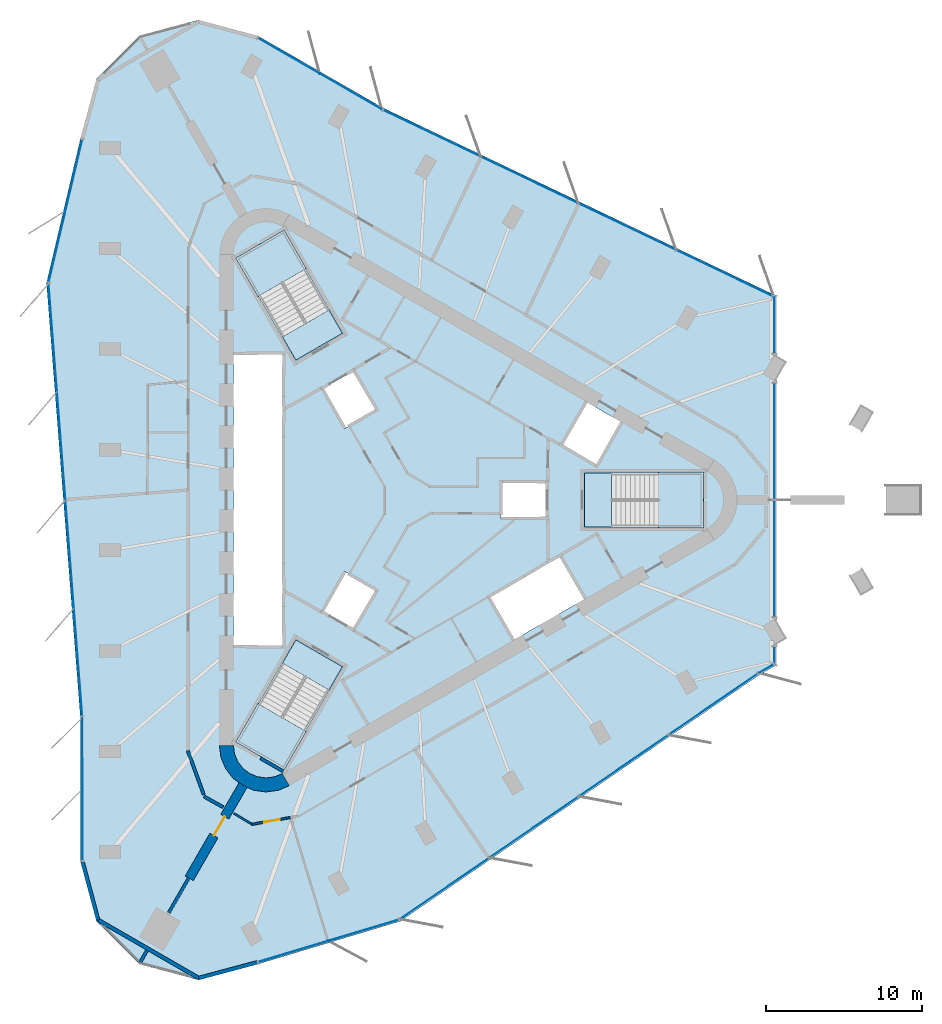
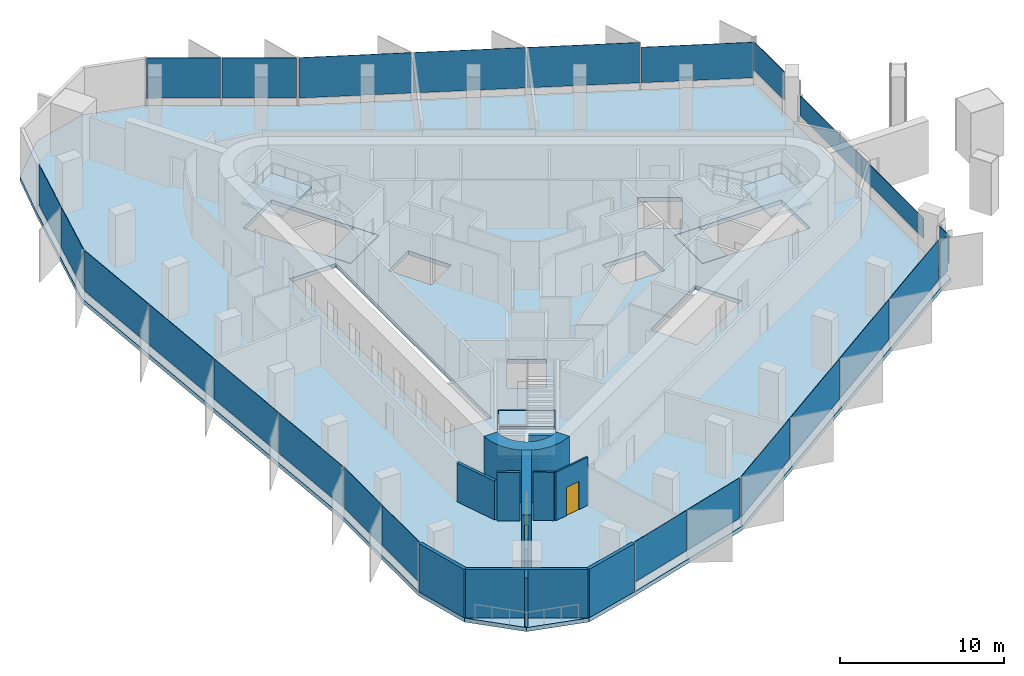
# One storey, part 6 of 12: 25 plates, 12 walls, 7 slabs, 2 doors, 2 openings, 14 elements without a shape of their own.
"""IFC4 building model written with IfcOpenShell, lengths in metres."""

import ifcopenshell
import ifcopenshell.guid

model = None  # the IFC model being written
_history = None  # IfcOwnerHistory: only IFC2X3 demands one
_inside = {}  # id of a spatial element -> (the spatial element, [elements in it])
_under = {}  # id of a project, library or spatial element -> (it, [spatial elements below it])
_declared = {}  # id of a project -> (the project, [libraries it declares])
_typed = {}  # id of a type object -> (the type object, [elements of that type])
_made_of = {}  # id of a material, layer set ... -> (it, [elements and type objects made of it])


def new_model(schema):
    """Start an empty IFC model of exactly this schema.

    Asked for "IFC4X3", IfcOpenShell would pick the latest addendum, in which some entities
    have other attributes; the version numbers below select the first issue.
    IFC2X3 requires an IfcOwnerHistory on every rooted entity: one is made here for all.
    """
    global model, _history
    if schema == "IFC4X3":
        model = ifcopenshell.file(schema_version=(4, 3, 0, 0))
    else:
        model = ifcopenshell.file(schema=schema)
    _inside.clear()
    _under.clear()
    _declared.clear()
    _typed.clear()
    _made_of.clear()
    _history = None
    if model.schema == "IFC2X3":
        org = make("IfcOrganization", Name="unknown")
        user = make(
            "IfcPersonAndOrganization",
            ThePerson=make("IfcPerson", FamilyName="unknown"),
            TheOrganization=org,
        )
        app = make(
            "IfcApplication",
            ApplicationDeveloper=org,
            Version="unknown",
            ApplicationFullName="unknown",
            ApplicationIdentifier="unknown",
        )
        _history = make(
            "IfcOwnerHistory",
            OwningUser=user,
            OwningApplication=app,
            ChangeAction="ADDED",
            CreationDate=0,
        )
    return model


def make(cls, **values):
    """One entity of the class cls with the attributes given. An attribute that is None is left unset."""
    return model.create_entity(
        cls, **{name: value for name, value in values.items() if value is not None}
    )


def rooted(cls, **values):
    """An entity with a GlobalId (a new one), such as an element, a storey or a relation."""
    return make(cls, GlobalId=ifcopenshell.guid.new(), OwnerHistory=_history, **values)


def si_unit(unit_type, name, prefix=None):
    """IfcSIUnit, for example si_unit("LENGTHUNIT", "METRE", prefix="MILLI")."""
    return make("IfcSIUnit", UnitType=unit_type, Prefix=prefix, Name=name)


def assignment(units):
    """IfcUnitAssignment: the units of a project."""
    return None if units is None else make("IfcUnitAssignment", Units=units)


def point(xyz):
    """IfcCartesianPoint."""
    return None if xyz is None else make("IfcCartesianPoint", Coordinates=xyz)


def direction(xyz):
    """IfcDirection."""
    return None if xyz is None else make("IfcDirection", DirectionRatios=xyz)


def frame(location, z_axis=None, x_axis=None):
    """IfcAxis2Placement3D, a coordinate frame: its origin and axes. An axis left out is left unset."""
    return make(
        "IfcAxis2Placement3D",
        Location=point(location),
        Axis=direction(z_axis),
        RefDirection=direction(x_axis),
    )


def frame_2d(location, x_axis=None):
    """IfcAxis2Placement2D, a coordinate frame in the plane: its origin and x axis."""
    return make(
        "IfcAxis2Placement2D", Location=point(location), RefDirection=direction(x_axis)
    )


def origin():
    """The frame at (0, 0, 0) with its axes left unset."""
    return frame((0.0, 0.0, 0.0))


def origin_2d():
    """The frame at (0, 0) in the plane with its x axis left unset."""
    return frame_2d((0.0, 0.0))


def place(relative_to, where):
    """IfcLocalPlacement: puts the frame where relative to a parent placement (None: the world)."""
    return make(
        "IfcLocalPlacement", PlacementRelTo=relative_to, RelativePlacement=where
    )


def context(
    kind, dimensions, precision=None, world=None, true_north=None, identifier=None
):
    """IfcGeometricRepresentationContext, for example the 3D "Model" context."""
    return make(
        "IfcGeometricRepresentationContext",
        ContextIdentifier=identifier,
        ContextType=kind,
        CoordinateSpaceDimension=dimensions,
        Precision=precision,
        WorldCoordinateSystem=world,
        TrueNorth=true_north,
    )


def subcontext(parent, identifier, kind, view, scale=None):
    """IfcGeometricRepresentationSubContext, for example "Body" below "Model"."""
    return make(
        "IfcGeometricRepresentationSubContext",
        ContextIdentifier=identifier,
        ContextType=kind,
        ParentContext=parent,
        TargetScale=scale,
        TargetView=view,
    )


def project(units=None, contexts=None):
    """IfcProject with its units and contexts."""
    return rooted(
        "IfcProject",
        Name="project",
        RepresentationContexts=contexts,
        UnitsInContext=assignment(units),
    )


def spatial(cls, under=None, at=None, **own):
    """A site, building, storey or space (cls), placed at a placement, below another one or the project."""
    s = rooted(cls, ObjectPlacement=at, **own)
    if under is not None:
        _under.setdefault(under.id(), (under, []))[1].append(s)
    return s


def polyline(points):
    """IfcPolyline through the points."""
    return make("IfcPolyline", Points=[point(p) for p in points])


def profile(cls, at=None, kind="AREA", **sizes):
    """A parametric profile (cls). Its sizes go by their IFC names, for example OverallWidth=200.0."""
    return make(cls, ProfileType=kind, Position=at, **sizes)


def rectangle(**sizes):
    """IfcRectangleProfileDef."""
    return profile("IfcRectangleProfileDef", **sizes)


def outline(outer, holes=None, kind="AREA"):
    """IfcArbitraryClosedProfileDef: a profile drawn as a closed curve; with holes, ...WithVoids."""
    if holes is None:
        return make("IfcArbitraryClosedProfileDef", ProfileType=kind, OuterCurve=outer)
    return make(
        "IfcArbitraryProfileDefWithVoids",
        ProfileType=kind,
        OuterCurve=outer,
        InnerCurves=holes,
    )


def extrude(swept, where, along, depth):
    """IfcExtrudedAreaSolid: the profile swept, set in the frame where, extruded along a direction by depth."""
    return make(
        "IfcExtrudedAreaSolid",
        SweptArea=swept,
        Position=where,
        ExtrudedDirection=direction(along),
        Depth=depth,
    )


def shape(context_of_items, identifier, shape_type, items):
    """IfcShapeRepresentation: the items that make up one representation, for example the "Body"."""
    return make(
        "IfcShapeRepresentation",
        ContextOfItems=context_of_items,
        RepresentationIdentifier=identifier,
        RepresentationType=shape_type,
        Items=items,
    )


def material(Name=None, Category=None):
    """IfcMaterial."""
    return make("IfcMaterial", Name=Name, Category=Category)


def layer(
    of_material, thickness, ventilated=None, Name=None, Category=None, Priority=None
):
    """IfcMaterialLayer: one layer of a wall or slab, of a material (None: an air gap)."""
    return make(
        "IfcMaterialLayer",
        Material=of_material,
        LayerThickness=thickness,
        IsVentilated=ventilated,
        Name=Name,
        Category=Category,
        Priority=Priority,
    )


def layer_set(layers, Name=None):
    """IfcMaterialLayerSet."""
    return make("IfcMaterialLayerSet", MaterialLayers=layers, LayerSetName=Name)


def made_of(thing, what):
    """Note that an element or type object is made of a material, layer set ...; save() writes the relation."""
    if what is not None:
        _made_of.setdefault(what.id(), (what, []))[1].append(thing)
    return thing


def type_object(cls, material=None, **own):
    """A type object (cls), such as IfcWallType, which elements share."""
    return made_of(rooted(cls, **own), material)


def element(
    cls,
    number,
    at=None,
    inside=None,
    cuts=None,
    type_object=None,
    material=None,
    context=None,
    identifier="Body",
    shape_type=None,
    held_by="IfcProductDefinitionShape",
    body=None,
    shapes=None,
    **own,
):
    """One element of the class cls, such as IfcWall. Its Tag is "e" and its number.

    at: its placement. inside: the storey or other place that contains it. cuts: it is an
    opening in that element (IfcRelVoidsElement). A single representation is given by context,
    identifier, shape_type and body (its items); several are given by shapes. held_by: the class
    of the entity that holds the representations. save() writes the other relations.
    """
    e = rooted(cls, Tag="e%d" % number, ObjectPlacement=at, **own)
    if body is not None:
        shapes = [shape(context, identifier, shape_type, body)]
    if shapes is not None:
        e.Representation = make(held_by, Representations=shapes)
    if inside is not None:
        _inside.setdefault(inside.id(), (inside, []))[1].append(e)
    if cuts is not None:
        rooted(
            "IfcRelVoidsElement", RelatingBuildingElement=cuts, RelatedOpeningElement=e
        )
    if type_object is not None:
        _typed.setdefault(type_object.id(), (type_object, []))[1].append(e)
    return made_of(e, material)


def fill(opening, filler):
    """IfcRelFillsElement: the door or window that sits in an opening."""
    return rooted(
        "IfcRelFillsElement",
        RelatingOpeningElement=opening,
        RelatedBuildingElement=filler,
    )


def aggregate(whole, parts):
    """IfcRelAggregates: a whole, such as a stair, and the parts it consists of."""
    return rooted("IfcRelAggregates", RelatingObject=whole, RelatedObjects=parts)


def save(model, path):
    """Write the relations noted so far, then the file.

    IfcRelAggregates (storeys below a building ...), IfcRelContainedInSpatialStructure (elements
    in a storey), IfcRelDefinesByType, IfcRelAssociatesMaterial and IfcRelDeclares: one each for
    every whole, place, type object, material and project.
    """
    for whole, parts in _under.values():
        aggregate(whole, parts)
    for where, things in _inside.values():
        rooted(
            "IfcRelContainedInSpatialStructure",
            RelatedElements=things,
            RelatingStructure=where,
        )
    for kind, things in _typed.values():
        rooted("IfcRelDefinesByType", RelatedObjects=things, RelatingType=kind)
    for what, things in _made_of.values():
        rooted("IfcRelAssociatesMaterial", RelatedObjects=things, RelatingMaterial=what)
    for by, libraries in _declared.values():
        rooted("IfcRelDeclares", RelatingContext=by, RelatedDefinitions=libraries)
    model.write(path)


model = new_model("IFC4")

# Units and contexts
model_context = context("Model", 3, precision=1e-05, world=origin(), true_north=direction((0.0, 1.0)))
body_context = subcontext(model_context, "Body", "Model", "MODEL_VIEW")
ifc_project = project(units=[si_unit("LENGTHUNIT", "METRE"), si_unit("AREAUNIT", "SQUARE_METRE"), si_unit("VOLUMEUNIT", "CUBIC_METRE"), si_unit("PLANEANGLEUNIT", "RADIAN"), si_unit("MASSUNIT", "GRAM", prefix="KILO")], contexts=[model_context])

# Site, building, storey
site_placement = place(None, origin())
site = spatial("IfcSite", under=ifc_project, at=site_placement, CompositionType="ELEMENT")
building_placement = place(site_placement, origin())
building = spatial("IfcBuilding", under=site, at=building_placement, Name="Tanit Gate Tower", CompositionType="ELEMENT")
storey_placement = place(building_placement, frame((0.0, 0.0, 372.800048828125)))
storey = spatial("IfcBuildingStorey", under=building, at=storey_placement, Name="L85", CompositionType="ELEMENT", Elevation=372.800048828125)

# Slab
ifc_material_1 = material(Name="Concrete C35/45", Category="concrete")
ifc_layer_1 = layer(ifc_material_1, 0.300048828125)
ifc_layer_set_1 = layer_set([ifc_layer_1], Name="FLOOR SLAB 300 C35/45")
slab_type_1 = type_object("IfcSlabType", Name="FLOOR SLAB 300 C35/45", PredefinedType="FLOOR", material=ifc_layer_set_1)
slab_1_placement = place(storey_placement, frame((0.0, 0.0, -0.300048828125)))
element("IfcSlab", 1, at=slab_1_placement, inside=storey, type_object=slab_type_1, Name="FLOOR SLAB L85", PredefinedType="FLOOR", context=body_context, shape_type="SweptSolid", body=[
    extrude(outline(polyline([(22.59765625, -11.23974609375), (-0.477783203125, -27.072998046875), (-9.62548828125, -29.8291015625), (-13.423583984375, -30.8466796875), (-17.2216796875, -29.8291015625), (-20.002197265625, -27.048583984375), (-21.02001953125, -23.25048828125), (-21.03271484375, -13.9501953125), (-23.207275390625, 13.9501953125), (-21.02001953125, 23.25048828125), (-20.002197265625, 27.048583984375), (-17.2216796875, 29.8291015625), (-13.423583984375, 30.8466796875), (-9.62548828125, 29.8291015625), (-1.56494140625, 25.18994140625), (23.684814453125, 13.122802734375), (30.6455078125, 6.57861328125), (23.699951171875, 13.108642578125), (23.699951171875, -10.601318359375), (30.6455078125, -6.57861328125), (22.59765625, -11.23974609375)]), holes=[polyline([(11.3701171875, 1.72998046875), (18.929931640625, 1.72998046875), (18.929931640625, -1.72998046875), (11.3701171875, -1.72998046875), (11.3701171875, 1.72998046875)]), polyline([(12.158935546875, 2.159912109375), (9.82080078125, 3.510009765625), (11.44580078125, 6.324462890625), (13.783935546875, 4.974609375), (12.158935546875, 2.159912109375)]), polyline([(11.44580078125, -6.324462890625), (6.76904296875, -9.0244140625), (5.14404296875, -6.2099609375), (9.82080078125, -3.510009765625), (11.44580078125, -6.324462890625)]), polyline([(6.0, 1.199951171875), (9.0, 1.199951171875), (9.0, -1.199951171875), (6.0, -1.199951171875), (6.0, 1.199951171875)]), polyline([(-4.039306640625, 4.59619140625), (-5.539306640625, 7.194091796875), (-3.460693359375, 8.394287109375), (-1.960693359375, 5.796142578125), (-4.039306640625, 4.59619140625)]), polyline([(-1.960693359375, -5.796142578125), (-3.460693359375, -8.394287109375), (-5.539306640625, -7.194091796875), (-4.039306640625, -4.59619140625), (-1.960693359375, -5.796142578125)]), polyline([(-7.18310546875, 8.981689453125), (-10.963134765625, 15.52880859375), (-7.966796875, 17.2587890625), (-4.186767578125, 10.711669921875), (-7.18310546875, 8.981689453125)]), polyline([(-4.186767578125, -10.711669921875), (-7.966796875, -17.2587890625), (-10.963134765625, -15.52880859375), (-7.18310546875, -8.981689453125), (-4.186767578125, -10.711669921875)]), polyline([(-11.199951171875, -9.449951171875), (-11.199951171875, 9.449951171875), (-7.949951171875, 9.449951171875), (-7.949951171875, -9.449951171875), (-11.199951171875, -9.449951171875)])]), origin(), (0.0, 0.0, 1.0), 0.300048828125),
])

# Curtain wall, plates
ifc_material_2 = material(Name="Aluminium bronze anodised and glass", Category="aluminium")
curtain_wall_type_1 = type_object("IfcCurtainWallType", Name="Curtain wall typical high", PredefinedType="NOTDEFINED", material=ifc_material_2)
curtain_wall_1_placement = place(storey_placement, origin())
curtain_wall_1 = element("IfcCurtainWall", 2, at=curtain_wall_1_placement, inside=storey, type_object=curtain_wall_type_1, Name="Curtain wall L85 NE2c", PredefinedType="NOTDEFINED")
ifc_material_3 = material(Name="Glass tinted", Category="glass")
ifc_layer_2 = layer(ifc_material_3, 0.028076171875)
ifc_layer_set_2 = layer_set([ifc_layer_2], Name="Glass panel 28 typical high")
plate_type_1 = type_object("IfcPlateType", Name="Glass panel 28 typical high", PredefinedType="CURTAIN_PANEL", material=ifc_layer_set_2)
plate_1_placement = place(storey_placement, frame((20.4033203125, 14.55810546875, 0.60009765625), z_axis=(0.0, 0.0, 1.0), x_axis=(-0.902257718288, 0.431197182029, 0.0)))
plate_1 = element("IfcPlate", 3, at=plate_1_placement, type_object=plate_type_1, Name="Glass panel L85 NE2c.1", PredefinedType="CURTAIN_PANEL", context=body_context, shape_type="SweptSolid", body=[
    extrude(rectangle(XDim=6.8828125, YDim=0.028076171875, at=origin_2d()), origin(), (0.0, 0.0, 1.0), 2.639892578125),
])
plate_2_placement = place(storey_placement, frame((14.120849609375, 17.560546875, 0.599853515625), z_axis=(0.0, 0.0, 1.0), x_axis=(-0.902257718288, 0.431197182029, 0.0)))
plate_2 = element("IfcPlate", 4, at=plate_2_placement, type_object=plate_type_1, Name="Glass panel L85 NE2c.2", PredefinedType="CURTAIN_PANEL", context=body_context, shape_type="SweptSolid", body=[
    extrude(rectangle(XDim=6.8828125, YDim=0.028076171875, at=origin_2d()), origin(), (0.0, 0.0, 1.0), 3.0),
])
plate_3_placement = place(storey_placement, frame((7.838623046875, 20.56298828125, 0.599853515625), z_axis=(0.0, 0.0, 1.0), x_axis=(-0.902257718288, 0.431197182029, 0.0)))
plate_3 = element("IfcPlate", 5, at=plate_3_placement, type_object=plate_type_1, Name="Glass panel L85 NE2c.3", PredefinedType="CURTAIN_PANEL", context=body_context, shape_type="SweptSolid", body=[
    extrude(rectangle(XDim=6.8828125, YDim=0.028076171875, at=origin_2d()), origin(), (0.0, 0.0, 1.0), 3.0),
])
plate_4_placement = place(storey_placement, frame((1.556396484375, 23.565185546875, 0.599853515625), z_axis=(0.0, 0.0, 1.0), x_axis=(-0.902257718288, 0.431197182029, 0.0)))
plate_4 = element("IfcPlate", 6, at=plate_4_placement, type_object=plate_type_1, Name="Glass panel L85 NE2c.4", PredefinedType="CURTAIN_PANEL", context=body_context, shape_type="SweptSolid", body=[
    extrude(rectangle(XDim=6.8828125, YDim=0.028076171875, at=origin_2d()), origin(), (0.0, 0.0, 1.0), 3.0),
])
aggregate(curtain_wall_1, [plate_1, plate_2, plate_3, plate_4])

curtain_wall_2_placement = place(storey_placement, origin())
curtain_wall_2 = element("IfcCurtainWall", 7, at=curtain_wall_2_placement, inside=storey, type_object=curtain_wall_type_1, Name="Curtain wall L85 NE3", PredefinedType="NOTDEFINED")
plate_5_placement = place(storey_placement, frame((-3.65087890625, 26.251953125, 0.599853515625), z_axis=(0.0, 0.0, 1.0), x_axis=(-0.866710478104, 0.498811534695, 0.0)))
plate_5 = element("IfcPlate", 8, at=plate_5_placement, type_object=plate_type_1, Name="Glass panel L85 NE3.1", PredefinedType="CURTAIN_PANEL", context=body_context, shape_type="SweptSolid", body=[
    extrude(rectangle(XDim=4.5244140625, YDim=0.028076171875, at=origin_2d()), origin(), (0.0, 0.0, 1.0), 3.0),
])
plate_6_placement = place(storey_placement, frame((-7.641845703125, 28.548828125, 0.599853515625), z_axis=(0.0, 0.0, 1.0), x_axis=(-0.866710478104, 0.498811534695, 0.0)))
plate_6 = element("IfcPlate", 9, at=plate_6_placement, type_object=plate_type_1, Name="Glass panel L85 NE3.2", PredefinedType="CURTAIN_PANEL", context=body_context, shape_type="SweptSolid", body=[
    extrude(rectangle(XDim=4.524658203125, YDim=0.028076171875, at=origin_2d()), origin(), (0.0, 0.0, 1.0), 3.0),
])
aggregate(curtain_wall_2, [plate_5, plate_6])

curtain_wall_3_placement = place(storey_placement, origin())
curtain_wall_3 = element("IfcCurtainWall", 10, at=curtain_wall_3_placement, inside=storey, type_object=curtain_wall_type_1, Name="Curtain wall L85 W1", PredefinedType="NOTDEFINED")
plate_7_placement = place(storey_placement, frame((-21.45361328125, 20.8818359375, 0.599853515625), z_axis=(0.0, 0.0, 1.0), x_axis=(-0.228936006103, -0.973441474928, 0.0)))
plate_7 = element("IfcPlate", 11, at=plate_7_placement, type_object=plate_type_1, Name="Glass panel L85 W1.1", PredefinedType="CURTAIN_PANEL", context=body_context, shape_type="SweptSolid", body=[
    extrude(rectangle(XDim=4.646728515625, YDim=0.028076171875, at=origin_2d()), origin(), (0.0, 0.0, 1.0), 3.0),
])
plate_8_placement = place(storey_placement, frame((-22.535888671875, 16.280517578125, 0.599853515625), z_axis=(0.0, 0.0, 1.0), x_axis=(-0.228936006103, -0.973441474928, 0.0)))
plate_8 = element("IfcPlate", 12, at=plate_8_placement, type_object=plate_type_1, Name="Glass panel L85 W1.2", PredefinedType="CURTAIN_PANEL", context=body_context, shape_type="SweptSolid", body=[
    extrude(rectangle(XDim=4.646728515625, YDim=0.028076171875, at=origin_2d()), origin(), (0.0, 0.0, 1.0), 3.0),
])
aggregate(curtain_wall_3, [plate_7, plate_8])

curtain_wall_4_placement = place(storey_placement, origin())
curtain_wall_4 = element("IfcCurtainWall", 13, at=curtain_wall_4_placement, inside=storey, type_object=curtain_wall_type_1, Name="Curtain wall L85 W2", PredefinedType="NOTDEFINED")
plate_9_placement = place(storey_placement, frame((-22.81201171875, 10.42529296875, 0.599853515625), z_axis=(0.0, 0.0, 1.0), x_axis=(0.077701145467, -0.996976695812, 0.0)))
plate_9 = element("IfcPlate", 14, at=plate_9_placement, type_object=plate_type_1, Name="Glass panel L85 W2.1", PredefinedType="CURTAIN_PANEL", context=body_context, shape_type="SweptSolid", body=[
    extrude(rectangle(XDim=6.892822265625, YDim=0.028076171875, at=origin_2d()), origin(), (0.0, 0.0, 1.0), 3.0),
])
plate_10_placement = place(storey_placement, frame((-22.270263671875, 3.4736328125, 0.599853515625), z_axis=(0.0, 0.0, 1.0), x_axis=(0.077701145467, -0.996976695812, 0.0)))
plate_10 = element("IfcPlate", 15, at=plate_10_placement, type_object=plate_type_1, Name="Glass panel L85 W2.2", PredefinedType="CURTAIN_PANEL", context=body_context, shape_type="SweptSolid", body=[
    extrude(rectangle(XDim=6.892822265625, YDim=0.028076171875, at=origin_2d()), origin(), (0.0, 0.0, 1.0), 3.0),
])
plate_11_placement = place(storey_placement, frame((-21.728515625, -3.478271484375, 0.599853515625), z_axis=(0.0, 0.0, 1.0), x_axis=(0.077701145467, -0.996976695812, 0.0)))
plate_11 = element("IfcPlate", 16, at=plate_11_placement, type_object=plate_type_1, Name="Glass panel L85 W2.3", PredefinedType="CURTAIN_PANEL", context=body_context, shape_type="SweptSolid", body=[
    extrude(rectangle(XDim=6.892822265625, YDim=0.028076171875, at=origin_2d()), origin(), (0.0, 0.0, 1.0), 3.0),
])
plate_12_placement = place(storey_placement, frame((-21.186767578125, -10.429931640625, 0.599853515625), z_axis=(0.0, 0.0, 1.0), x_axis=(0.077701145467, -0.996976695812, 0.0)))
plate_12 = element("IfcPlate", 17, at=plate_12_placement, type_object=plate_type_1, Name="Glass panel L85 W2.4", PredefinedType="CURTAIN_PANEL", context=body_context, shape_type="SweptSolid", body=[
    extrude(rectangle(XDim=6.892578125, YDim=0.028076171875, at=origin_2d()), origin(), (0.0, 0.0, 1.0), 3.0),
])
aggregate(curtain_wall_4, [plate_9, plate_10, plate_11, plate_12])

curtain_wall_5_placement = place(storey_placement, origin())
curtain_wall_5 = element("IfcCurtainWall", 18, at=curtain_wall_5_placement, inside=storey, type_object=curtain_wall_type_1, Name="Curtain wall L85 W3", PredefinedType="NOTDEFINED")
plate_13_placement = place(storey_placement, frame((-20.909423828125, -16.287841796875, 0.599853515625), z_axis=(0.0, 0.0, 1.0), x_axis=(0.001371778306, -0.999999059112, 0.0)))
plate_13 = element("IfcPlate", 19, at=plate_13_placement, type_object=plate_type_1, Name="Glass panel L85 W3.1", PredefinedType="CURTAIN_PANEL", context=body_context, shape_type="SweptSolid", body=[
    extrude(rectangle(XDim=4.5244140625, YDim=0.028076171875, at=origin_2d()), origin(), (0.0, 0.0, 1.0), 3.0),
])
plate_14_placement = place(storey_placement, frame((-20.903076171875, -20.892333984375, 0.599853515625), z_axis=(0.0, 0.0, 1.0), x_axis=(0.001371778306, -0.999999059112, 0.0)))
plate_14 = element("IfcPlate", 20, at=plate_14_placement, type_object=plate_type_1, Name="Glass panel L85 W3.2", PredefinedType="CURTAIN_PANEL", context=body_context, shape_type="SweptSolid", body=[
    extrude(rectangle(XDim=4.524658203125, YDim=0.028076171875, at=origin_2d()), origin(), (0.0, 0.0, 1.0), 3.0),
])
aggregate(curtain_wall_5, [plate_13, plate_14])

curtain_wall_6_placement = place(storey_placement, origin())
curtain_wall_6 = element("IfcCurtainWall", 21, at=curtain_wall_6_placement, inside=storey, type_object=curtain_wall_type_1, Name="Curtain wall L85 SE1", PredefinedType="NOTDEFINED")
plate_15_placement = place(storey_placement, frame((-7.357177734375, -29.020263671875, 0.599853515625), z_axis=(0.0, 0.0, 1.0), x_axis=(0.957493049436, 0.288456340338, 0.0)))
plate_15 = element("IfcPlate", 22, at=plate_15_placement, type_object=plate_type_1, Name="Glass panel L85 SE1.1", PredefinedType="CURTAIN_PANEL", context=body_context, shape_type="SweptSolid", body=[
    extrude(rectangle(XDim=4.646728515625, YDim=0.028076171875, at=origin_2d()), origin(), (0.0, 0.0, 1.0), 3.0),
])
plate_16_placement = place(storey_placement, frame((-2.83154296875, -27.656982421875, 0.599853515625), z_axis=(0.0, 0.0, 1.0), x_axis=(0.957493049436, 0.288456340338, 0.0)))
plate_16 = element("IfcPlate", 23, at=plate_16_placement, type_object=plate_type_1, Name="Glass panel L85 SE1.2", PredefinedType="CURTAIN_PANEL", context=body_context, shape_type="SweptSolid", body=[
    extrude(rectangle(XDim=4.646728515625, YDim=0.028076171875, at=origin_2d()), origin(), (0.0, 0.0, 1.0), 3.0),
])
aggregate(curtain_wall_6, [plate_15, plate_16])

curtain_wall_7_placement = place(storey_placement, origin())
curtain_wall_7 = element("IfcCurtainWall", 24, at=curtain_wall_7_placement, inside=storey, type_object=curtain_wall_type_1, Name="Curtain wall L85 SE2", PredefinedType="NOTDEFINED")
plate_17_placement = place(storey_placement, frame((2.37744140625, -24.968505859375, 0.599853515625), z_axis=(0.0, 0.0, 1.0), x_axis=(0.824556572821, 0.565779513784, 0.0)))
plate_17 = element("IfcPlate", 25, at=plate_17_placement, type_object=plate_type_1, Name="Glass panel L85 SE2.1", PredefinedType="CURTAIN_PANEL", context=body_context, shape_type="SweptSolid", body=[
    extrude(rectangle(XDim=6.892822265625, YDim=0.028076171875, at=origin_2d()), origin(), (0.0, 0.0, 1.0), 3.0),
])
plate_18_placement = place(storey_placement, frame((8.126953125, -21.0234375, 0.599853515625), z_axis=(0.0, 0.0, 1.0), x_axis=(0.824556572821, 0.565779513784, 0.0)))
plate_18 = element("IfcPlate", 26, at=plate_18_placement, type_object=plate_type_1, Name="Glass panel L85 SE2.2", PredefinedType="CURTAIN_PANEL", context=body_context, shape_type="SweptSolid", body=[
    extrude(rectangle(XDim=6.892822265625, YDim=0.028076171875, at=origin_2d()), origin(), (0.0, 0.0, 1.0), 3.0),
])
plate_19_placement = place(storey_placement, frame((13.87646484375, -17.078369140625, 0.599853515625), z_axis=(0.0, 0.0, 1.0), x_axis=(0.824556572821, 0.565779513784, 0.0)))
plate_19 = element("IfcPlate", 27, at=plate_19_placement, type_object=plate_type_1, Name="Glass panel L85 SE2.3", PredefinedType="CURTAIN_PANEL", context=body_context, shape_type="SweptSolid", body=[
    extrude(rectangle(XDim=6.892822265625, YDim=0.028076171875, at=origin_2d()), origin(), (0.0, 0.0, 1.0), 3.0),
])
plate_20_placement = place(storey_placement, frame((19.625732421875, -13.13330078125, 0.599853515625), z_axis=(0.0, 0.0, 1.0), x_axis=(0.824556572821, 0.565779513784, 0.0)))
plate_20 = element("IfcPlate", 28, at=plate_20_placement, type_object=plate_type_1, Name="Glass panel L85 SE2.4", PredefinedType="CURTAIN_PANEL", context=body_context, shape_type="SweptSolid", body=[
    extrude(rectangle(XDim=6.892578125, YDim=0.028076171875, at=origin_2d()), origin(), (0.0, 0.0, 1.0), 3.0),
])
aggregate(curtain_wall_7, [plate_17, plate_18, plate_19, plate_20])

# Curtain wall, plate
curtain_wall_8_placement = place(storey_placement, origin())
curtain_wall_8 = element("IfcCurtainWall", 29, at=curtain_wall_8_placement, inside=storey, type_object=curtain_wall_type_1, Name="Curtain wall L85 SE3c", PredefinedType="NOTDEFINED")
plate_21_placement = place(storey_placement, frame((23.05712890625, -10.8349609375, 0.60009765625), z_axis=(0.0, 0.0, 1.0), x_axis=(0.865338699798, 0.501187524417, 0.0)))
plate_21 = element("IfcPlate", 30, at=plate_21_placement, type_object=plate_type_1, Name="Glass panel L85 SE3c.1", PredefinedType="CURTAIN_PANEL", context=body_context, shape_type="SweptSolid", body=[
    extrude(rectangle(XDim=1.0498046875, YDim=0.028076171875, at=origin_2d()), origin(), (0.0, 0.0, 1.0), 2.639892578125),
])
aggregate(curtain_wall_8, [plate_21])

ifc_material_4 = material(Name="Aluminium bronze anodised and glass", Category="aluminium")
curtain_wall_type_2 = type_object("IfcCurtainWallType", Name="Curtain wall portal glazing", PredefinedType="NOTDEFINED", material=ifc_material_4)
curtain_wall_9_placement = place(storey_placement, origin())
curtain_wall_9 = element("IfcCurtainWall", 31, at=curtain_wall_9_placement, inside=storey, type_object=curtain_wall_type_2, Name="Curtain wall L85 NOTCH1", PredefinedType="NOTDEFINED")
ifc_material_5 = material(Name="Glass tinted laminated safety", Category="glass")
ifc_layer_3 = layer(ifc_material_5, 0.0439453125)
ifc_layer_set_3 = layer_set([ifc_layer_3], Name="Glass panel 44 portal glazing")
plate_type_2 = type_object("IfcPlateType", Name="Glass panel 44 portal glazing", PredefinedType="CURTAIN_PANEL", material=ifc_layer_set_3)
plate_22_placement = place(storey_placement, frame((23.580078125, 11.2685546875, 1.10009765625), z_axis=(0.0, 0.0, 1.0), x_axis=(0.0, -1.0, 0.0)))
plate_22 = element("IfcPlate", 32, at=plate_22_placement, type_object=plate_type_2, Name="Glass panel L85 NOTCH1.1", PredefinedType="CURTAIN_PANEL", context=body_context, shape_type="SweptSolid", body=[
    extrude(rectangle(XDim=3.647705078125, YDim=0.0439453125, at=origin_2d()), origin(), (0.0, 0.0, 1.0), 2.110107421875),
])
aggregate(curtain_wall_9, [plate_22])

# Curtain wall, plates
curtain_wall_10_placement = place(storey_placement, origin())
curtain_wall_10 = element("IfcCurtainWall", 33, at=curtain_wall_10_placement, inside=storey, type_object=curtain_wall_type_2, Name="Curtain wall L85 NOTCH2", PredefinedType="NOTDEFINED")
plate_23_placement = place(storey_placement, frame((23.580078125, 3.77001953125, 1.10009765625), z_axis=(0.0, 0.0, 1.0), x_axis=(0.0, -1.0, 0.0)))
plate_23 = element("IfcPlate", 34, at=plate_23_placement, type_object=plate_type_2, Name="Glass panel L85 NOTCH2.1", PredefinedType="CURTAIN_PANEL", context=body_context, shape_type="SweptSolid", body=[
    extrude(rectangle(XDim=7.460205078125, YDim=0.0439453125, at=origin_2d()), origin(), (0.0, 0.0, 1.0), 1.510009765625),
])
plate_24_placement = place(storey_placement, frame((23.580078125, -3.77001953125, 1.10009765625), z_axis=(0.0, 0.0, 1.0), x_axis=(0.0, -1.0, 0.0)))
plate_24 = element("IfcPlate", 35, at=plate_24_placement, type_object=plate_type_2, Name="Glass panel L85 NOTCH2.2", PredefinedType="CURTAIN_PANEL", context=body_context, shape_type="SweptSolid", body=[
    extrude(rectangle(XDim=7.460205078125, YDim=0.0439453125, at=origin_2d()), origin(), (0.0, 0.0, 1.0), 1.510009765625),
])
aggregate(curtain_wall_10, [plate_23, plate_24])

# Curtain wall, plate
curtain_wall_11_placement = place(storey_placement, origin())
curtain_wall_11 = element("IfcCurtainWall", 36, at=curtain_wall_11_placement, inside=storey, type_object=curtain_wall_type_2, Name="Curtain wall L85 NOTCH3", PredefinedType="NOTDEFINED")
plate_25_placement = place(storey_placement, frame((23.580078125, -10.017333984375, 1.10009765625), z_axis=(0.0, 0.0, 1.0), x_axis=(0.0, -1.0, 0.0)))
plate_25 = element("IfcPlate", 37, at=plate_25_placement, type_object=plate_type_2, Name="Glass panel L85 NOTCH3.1", PredefinedType="CURTAIN_PANEL", context=body_context, shape_type="SweptSolid", body=[
    extrude(rectangle(XDim=1.1455078125, YDim=0.0439453125, at=origin_2d()), origin(), (0.0, 0.0, 1.0), 2.110107421875),
])
aggregate(curtain_wall_11, [plate_25])

# Stair, slab
ifc_material_6 = material(Name="Concrete C40/50", Category="concrete")
stair_type = type_object("IfcStairType", Name="INT-STAIR-EXIT", PredefinedType="HALF_TURN_STAIR", material=ifc_material_6)
stair_1_placement = place(storey_placement, origin())
stair_1 = element("IfcStair", 38, at=stair_1_placement, inside=storey, type_object=stair_type, Name="L85 STAIR S1", PredefinedType="HALF_TURN_STAIR")
ifc_material_7 = material(Name="Concrete C40/50", Category="concrete")
ifc_layer_4 = layer(ifc_material_7, 0.199951171875)
ifc_layer_set_4 = layer_set([ifc_layer_4], Name="INT-STAIR-LANDING")
slab_type_2 = type_object("IfcSlabType", Name="INT-STAIR-LANDING", PredefinedType="LANDING", material=ifc_layer_set_4)
slab_2_placement = place(storey_placement, frame((0.0, 0.0, 1.75)))
slab_2 = element("IfcSlab", 39, at=slab_2_placement, type_object=slab_type_2, Name="S1 landing 1", PredefinedType="LANDING", context=body_context, shape_type="SweptSolid", body=[
    extrude(outline(polyline([(16.135986328125, -1.800048828125), (19.0, -1.800048828125), (19.0, 1.800048828125), (16.135986328125, 1.800048828125), (16.135986328125, -1.800048828125)])), origin(), (0.0, 0.0, 1.0), 0.199951171875),
])
aggregate(stair_1, [slab_2])

# Slab
slab_3_placement = place(storey_placement, frame((0.0, 0.0, -0.199951171875)))
element("IfcSlab", 40, at=slab_3_placement, inside=storey, type_object=slab_type_2, Name="S1 floor landing", PredefinedType="LANDING", context=body_context, shape_type="SweptSolid", body=[
    extrude(outline(polyline([(11.3798828125, -1.719970703125), (13.10498046875, -1.719970703125), (13.10498046875, 1.719970703125), (11.3798828125, 1.719970703125), (11.3798828125, -1.719970703125)])), origin(), (0.0, 0.0, 1.0), 0.199951171875),
])

# Stair, slab
stair_2_placement = place(storey_placement, origin())
stair_2 = element("IfcStair", 41, at=stair_2_placement, inside=storey, type_object=stair_type, Name="L85 STAIR S2", PredefinedType="HALF_TURN_STAIR")
slab_4_placement = place(storey_placement, frame((0.0, 0.0, 1.75)))
slab_4 = element("IfcSlab", 42, at=slab_4_placement, type_object=slab_type_2, Name="S2 landing 1", PredefinedType="LANDING", context=body_context, shape_type="SweptSolid", body=[
    extrude(outline(polyline([(-6.5078125, 14.871826171875), (-7.941162109375, 17.3544921875), (-11.058837890625, 15.554443359375), (-9.62548828125, 13.07177734375), (-6.5078125, 14.871826171875)])), origin(), (0.0, 0.0, 1.0), 0.199951171875),
])
aggregate(stair_2, [slab_4])

# Slab
slab_5_placement = place(storey_placement, frame((0.0, 0.0, -0.199951171875)))
element("IfcSlab", 43, at=slab_5_placement, inside=storey, type_object=slab_type_2, Name="S2 floor landing", PredefinedType="LANDING", context=body_context, shape_type="SweptSolid", body=[
    extrude(outline(polyline([(-4.200439453125, 10.71533203125), (-5.0625, 12.20849609375), (-8.04150390625, 10.48828125), (-7.179443359375, 8.995361328125), (-4.200439453125, 10.71533203125)])), origin(), (0.0, 0.0, 1.0), 0.199951171875),
])

# Stair, slab
stair_3_placement = place(storey_placement, origin())
stair_3 = element("IfcStair", 44, at=stair_3_placement, inside=storey, type_object=stair_type, Name="L85 STAIR S3", PredefinedType="HALF_TURN_STAIR")
slab_6_placement = place(storey_placement, frame((0.0, 0.0, 1.75)))
slab_6 = element("IfcSlab", 45, at=slab_6_placement, type_object=slab_type_2, Name="S3 landing 1", PredefinedType="LANDING", context=body_context, shape_type="SweptSolid", body=[
    extrude(outline(polyline([(-9.626953125, -13.07421875), (-11.058837890625, -15.554443359375), (-7.941162109375, -17.3544921875), (-6.509033203125, -14.874267578125), (-9.626953125, -13.07421875)])), origin(), (0.0, 0.0, 1.0), 0.199951171875),
])
aggregate(stair_3, [slab_6])

# Slab
slab_7_placement = place(storey_placement, frame((0.0, 0.0, -0.199951171875)))
element("IfcSlab", 46, at=slab_7_placement, inside=storey, type_object=slab_type_2, Name="S3 floor landing", PredefinedType="LANDING", context=body_context, shape_type="SweptSolid", body=[
    extrude(outline(polyline([(-7.179443359375, -8.995361328125), (-8.0419921875, -10.4892578125), (-5.06298828125, -12.209228515625), (-4.200439453125, -10.71533203125), (-7.179443359375, -8.995361328125)])), origin(), (0.0, 0.0, 1.0), 0.199951171875),
])

# Wall, opening, door
ifc_material_8 = material(Name="Concrete C40/50", Category="concrete")
ifc_layer_5 = layer(ifc_material_8, 0.60009765625)
ifc_layer_set_5 = layer_set([ifc_layer_5], Name="BUTTRESS FIN 600 C40/50")
wall_type_1 = type_object("IfcWallType", Name="BUTTRESS FIN 600 C40/50", PredefinedType="SHEAR", material=ifc_layer_set_5)
wall_1_placement = place(storey_placement, frame((-10.574951171875, -18.31640625, 0.0), z_axis=(0.0, 0.0, 1.0), x_axis=(-0.499997253739, -0.866026989333, 0.0)))
wall_1 = element("IfcWall", 47, at=wall_1_placement, inside=storey, type_object=wall_type_1, Name="BUTTRESS FIN", PredefinedType="SHEAR", context=body_context, shape_type="SweptSolid", body=[
    extrude(rectangle(XDim=6.92138671875, YDim=0.60009765625, at=frame_2d((3.460693359375, 0.0))), origin(), (0.0, 0.0, 1.0), 3.89990234375),
])
opening_1_placement = place(wall_1_placement, frame((2.35009765625, 0.0, 0.0)))
opening_1 = element("IfcOpeningElement", 48, at=opening_1_placement, cuts=wall_1, Name="Opening P14-85-F-SW-1", PredefinedType="OPENING", context=body_context, shape_type="SweptSolid", body=[
    extrude(rectangle(XDim=1.39990234375, YDim=2.39990234375, at=frame_2d((0.699951171875, 1.199951171875))), frame((0.0, 0.31005859375, 0.0), z_axis=(0.0, -1.0, 0.0), x_axis=(1.0, 0.0, 0.0)), (0.0, 0.0, 1.0), 0.6201171875),
])
ifc_material_9 = material(Name="Timber door leaf", Category="wood")
door_type_1 = type_object("IfcDoorType", Name="INT-DOOR-FIN-PAIR-1400", OperationType="NOTDEFINED", PredefinedType="NOTDEFINED", material=ifc_material_9)
door_1_placement = place(opening_1_placement, origin())
door_1 = element("IfcDoor", 49, at=door_1_placement, inside=storey, type_object=door_type_1, Name="Door P14-85-F-SW-1", OperationType="DOUBLE_DOOR_SINGLE_SWING", OverallHeight=2.39990234375, OverallWidth=1.39990234375, PredefinedType="NOTDEFINED", context=body_context, shape_type="SweptSolid", body=[
    extrude(rectangle(XDim=1.39990234375, YDim=2.39990234375, at=frame_2d((0.699951171875, 1.199951171875))), frame((0.0, 0.02490234375, 0.0), z_axis=(0.0, -1.0, 0.0), x_axis=(1.0, 0.0, 0.0)), (0.0, 0.0, 1.0), 0.050048828125),
])
fill(opening_1, door_1)

# Walls
ifc_material_10 = material(Name="Concrete C40/50", Category="concrete")
ifc_layer_6 = layer(ifc_material_10, 0.89990234375)
ifc_layer_set_6 = layer_set([ifc_layer_6], Name="CORE WALL 900 C40/50")
wall_type_2 = type_object("IfcWallType", Name="CORE WALL 900 C40/50", PredefinedType="SHEAR", material=ifc_layer_set_6)
wall_2_placement = place(storey_placement, origin())
element("IfcWall", 50, at=wall_2_placement, inside=storey, type_object=wall_type_2, Name="CORE WALL CORNER", PredefinedType="SHEAR", context=body_context, shape_type="SweptSolid", body=[
    extrude(outline(polyline([(-12.10009765625, -15.76171875), (-11.997802734375, -16.5380859375), (-11.697998046875, -17.26171875), (-11.22119140625, -17.883056640625), (-10.60009765625, -18.359619140625), (-9.87646484375, -18.659423828125), (-9.10009765625, -18.76171875), (-8.323486328125, -18.659423828125), (-7.60009765625, -18.359619140625), (-8.050048828125, -17.580322265625), (-8.556396484375, -17.7900390625), (-9.10009765625, -17.86181640625), (-9.6435546875, -17.7900390625), (-10.14990234375, -17.580322265625), (-10.5849609375, -17.24658203125), (-10.918701171875, -16.811767578125), (-11.12841796875, -16.30517578125), (-11.199951171875, -15.76171875), (-12.10009765625, -15.76171875)])), origin(), (0.0, 0.0, 1.0), 3.89990234375),
])
ifc_material_11 = material(Name="Concrete C30/37 with bronze anodised aluminium cladding", Category="concrete")
ifc_layer_7 = layer(ifc_material_11, 0.239990234375)
ifc_layer_set_7 = layer_set([ifc_layer_7], Name="Facade wall bronze clad 240")
wall_type_3 = type_object("IfcWallType", Name="Facade wall bronze clad 240", PredefinedType="SOLIDWALL", material=ifc_layer_set_7)
wall_3_placement = place(storey_placement, frame((-20.89990234375, -23.234619140625, 0.0), z_axis=(0.0, 0.0, 1.0), x_axis=(0.258828240872, -0.965923362243, 0.0)))
element("IfcWall", 51, at=wall_3_placement, inside=storey, type_object=wall_type_3, Name="Bronze-clad facade wall L85 SW.arc1", PredefinedType="SOLIDWALL", context=body_context, shape_type="SweptSolid", body=[
    extrude(rectangle(XDim=3.88427734375, YDim=0.239990234375, at=frame_2d((1.942138671875, 0.0))), origin(), (0.0, 0.0, 1.0), 3.599853515625),
])
wall_4_placement = place(storey_placement, frame((-19.89453125, -26.986572265625, 0.0), z_axis=(0.0, 0.0, 1.0), x_axis=(0.866034867299, -0.499983608354, 0.0)))
element("IfcWall", 52, at=wall_4_placement, inside=storey, type_object=wall_type_3, Name="Bronze-clad facade wall L85 SW.arc2", PredefinedType="SOLIDWALL", context=body_context, shape_type="SweptSolid", body=[
    extrude(rectangle(XDim=7.471923828125, YDim=0.239990234375, at=frame_2d((3.73583984375, 0.0))), origin(), (0.0, 0.0, 1.0), 3.599853515625),
])
wall_5_placement = place(storey_placement, frame((-13.423583984375, -30.722412109375, 0.0), z_axis=(0.0, 0.0, 1.0), x_axis=(0.965930718492, 0.258800786462, 0.0)))
element("IfcWall", 53, at=wall_5_placement, inside=storey, type_object=wall_type_3, Name="Bronze-clad facade wall L85 SW.arc3", PredefinedType="SOLIDWALL", context=body_context, shape_type="SweptSolid", body=[
    extrude(rectangle(XDim=3.89794921875, YDim=0.239990234375, at=frame_2d((1.948974609375, 0.0))), origin(), (0.0, 0.0, 1.0), 3.599853515625),
])
ifc_material_12 = material(Name="Fire-rated gypsum board partition")
ifc_layer_8 = layer(ifc_material_12, 0.199951171875)
ifc_layer_set_8 = layer_set([ifc_layer_8], Name="INT-WALL-COMPARTMENT")
wall_type_4 = type_object("IfcWallType", Name="INT-WALL-COMPARTMENT", PredefinedType="PARTITIONING", material=ifc_layer_set_8)
wall_6_placement = place(storey_placement, frame((-13.083251953125, -19.05859375, 0.0), z_axis=(0.0, 0.0, 1.0), x_axis=(0.874403699392, -0.485199103966, 0.0)))
element("IfcWall", 54, at=wall_6_placement, inside=storey, type_object=wall_type_4, Name="Wall Compartment W097", PredefinedType="PARTITIONING", context=body_context, shape_type="SweptSolid", body=[
    extrude(rectangle(XDim=1.4013671875, YDim=0.199951171875, at=frame_2d((0.70068359375, 0.0))), origin(), (0.0, 0.0, 1.0), 3.599853515625),
])
wall_7_placement = place(storey_placement, frame((-14.13427734375, -16.099609375, 0.0), z_axis=(0.0, 0.0, 1.0), x_axis=(0.342048558967, -0.939682277852, 0.0)))
element("IfcWall", 55, at=wall_7_placement, inside=storey, type_object=wall_type_4, Name="Wall Compartment W098", PredefinedType="PARTITIONING", context=body_context, shape_type="SweptSolid", body=[
    extrude(rectangle(XDim=3.015625, YDim=0.199951171875, at=frame_2d((1.5078125, 0.0))), origin(), (0.0, 0.0, 1.0), 2.8798828125),
])
wall_8_placement = place(storey_placement, frame((-17.181640625, -29.699462890625, 0.0), z_axis=(0.0, 0.0, 1.0), x_axis=(0.499988720078, 0.866031916153, 0.0)))
element("IfcWall", 56, at=wall_8_placement, inside=storey, type_object=wall_type_4, Name="Wall Compartment W108", PredefinedType="PARTITIONING", context=body_context, shape_type="SweptSolid", body=[
    extrude(rectangle(XDim=0.873046875, YDim=0.199951171875, at=frame_2d((0.4365234375, 0.0))), origin(), (0.0, 0.0, 1.0), 3.599853515625),
])
wall_9_placement = place(storey_placement, frame((-15.347900390625, -26.523193359375, 0.0), z_axis=(0.0, 0.0, 1.0), x_axis=(0.500018234033, 0.866014876105, 0.0)))
element("IfcWall", 57, at=wall_9_placement, inside=storey, type_object=wall_type_4, Name="Wall Compartment W109", PredefinedType="PARTITIONING", context=body_context, shape_type="SweptSolid", body=[
    extrude(rectangle(XDim=2.572265625, YDim=0.199951171875, at=frame_2d((1.2861328125, 0.0))), origin(), (0.0, 0.0, 1.0), 3.169921875),
])

# Wall, opening, door
ifc_material_13 = material(Name="Gypsum board partition")
ifc_layer_9 = layer(ifc_material_13, 0.1201171875)
ifc_layer_set_9 = layer_set([ifc_layer_9], Name="INT-WALL-PARTITION")
wall_type_5 = type_object("IfcWallType", Name="INT-WALL-PARTITION", PredefinedType="PARTITIONING", material=ifc_layer_set_9)
wall_10_placement = place(storey_placement, frame((-10.017578125, -20.844482421875, 0.0), z_axis=(0.0, 0.0, 1.0), x_axis=(0.984810677158, 0.173631593197, 0.0)))
wall_10 = element("IfcWall", 58, at=wall_10_placement, inside=storey, type_object=wall_type_5, Name="Wall Partition W119", PredefinedType="PARTITIONING", context=body_context, shape_type="SweptSolid", body=[
    extrude(rectangle(XDim=2.53662109375, YDim=0.1201171875, at=frame_2d((1.268310546875, 0.0))), origin(), (0.0, 0.0, 1.0), 3.599853515625),
])
opening_2_placement = place(wall_10_placement, frame((0.822265625, 0.0, 0.0)))
opening_2 = element("IfcOpeningElement", 59, at=opening_2_placement, cuts=wall_10, Name="Opening D10-85-28", PredefinedType="OPENING", context=body_context, shape_type="SweptSolid", body=[
    extrude(rectangle(XDim=1.0, YDim=2.10009765625, at=frame_2d((0.5, 1.050048828125))), frame((0.0, 0.070068359375, 0.0), z_axis=(0.0, -1.0, 0.0), x_axis=(1.0, 0.0, 0.0)), (0.0, 0.0, 1.0), 0.14013671875),
])
ifc_material_14 = material(Name="Timber door leaf", Category="wood")
door_type_2 = type_object("IfcDoorType", Name="INT-DOOR-SINGLE-1000", OperationType="NOTDEFINED", PredefinedType="NOTDEFINED", material=ifc_material_14)
door_2_placement = place(opening_2_placement, origin())
door_2 = element("IfcDoor", 60, at=door_2_placement, inside=storey, type_object=door_type_2, Name="Door D10-85-28", OperationType="SINGLE_SWING_LEFT", OverallHeight=2.10009765625, OverallWidth=1.0, PredefinedType="NOTDEFINED", context=body_context, shape_type="SweptSolid", body=[
    extrude(rectangle(XDim=1.0, YDim=2.10009765625, at=frame_2d((0.5, 1.050048828125))), frame((0.0, 0.02490234375, 0.0), z_axis=(0.0, -1.0, 0.0), x_axis=(1.0, 0.0, 0.0)), (0.0, 0.0, 1.0), 0.050048828125),
])
fill(opening_2, door_2)

# Walls
wall_11_placement = place(storey_placement, frame((-11.1650390625, -20.138427734375, 0.0), z_axis=(0.0, 0.0, 1.0), x_axis=(0.857357475666, -0.514721438177, 0.0)))
element("IfcWall", 61, at=wall_11_placement, inside=storey, type_object=wall_type_5, Name="Wall Partition W120", PredefinedType="PARTITIONING", context=body_context, shape_type="SweptSolid", body=[
    extrude(rectangle(XDim=1.272705078125, YDim=0.1201171875, at=frame_2d((0.63623046875, 0.0))), origin(), (0.0, 0.0, 1.0), 3.599853515625),
])
ifc_material_15 = material(Name="Concrete C40/50", Category="concrete")
ifc_layer_10 = layer(ifc_material_15, 0.199951171875)
ifc_layer_set_10 = layer_set([ifc_layer_10], Name="INT-WALL-STAIR")
wall_type_6 = type_object("IfcWallType", Name="INT-WALL-STAIR", PredefinedType="SHEAR", material=ifc_layer_set_10)
wall_12_placement = place(storey_placement, frame((-9.454833984375, -16.59619140625, -0.300048828125), z_axis=(0.0, 0.0, 1.0), x_axis=(0.866038843867, -0.499976720371, 0.0)))
element("IfcWall", 62, at=wall_12_placement, inside=storey, type_object=wall_type_6, Name="Wall Stair W040", PredefinedType="SHEAR", context=body_context, shape_type="SweptSolid", body=[
    extrude(rectangle(XDim=1.68994140625, YDim=0.199951171875, at=frame_2d((0.844970703125, 0.0))), origin(), (0.0, 0.0, 1.0), 3.89990234375),
])

save(model, "model.ifc")
